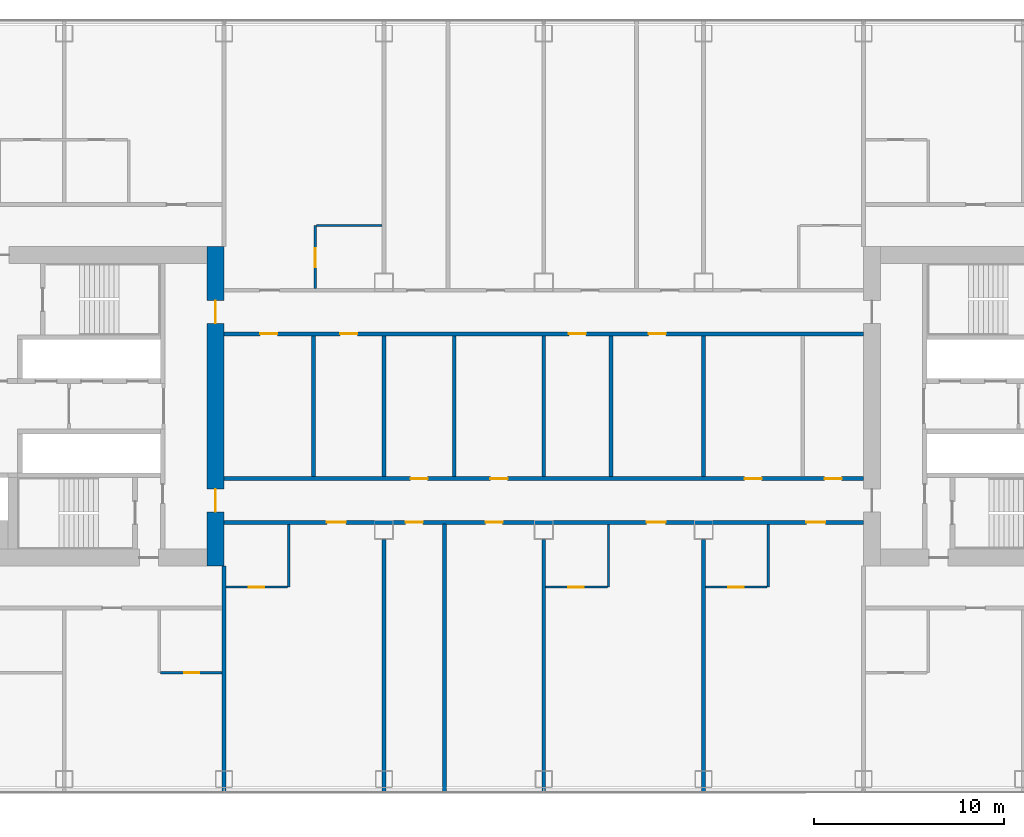
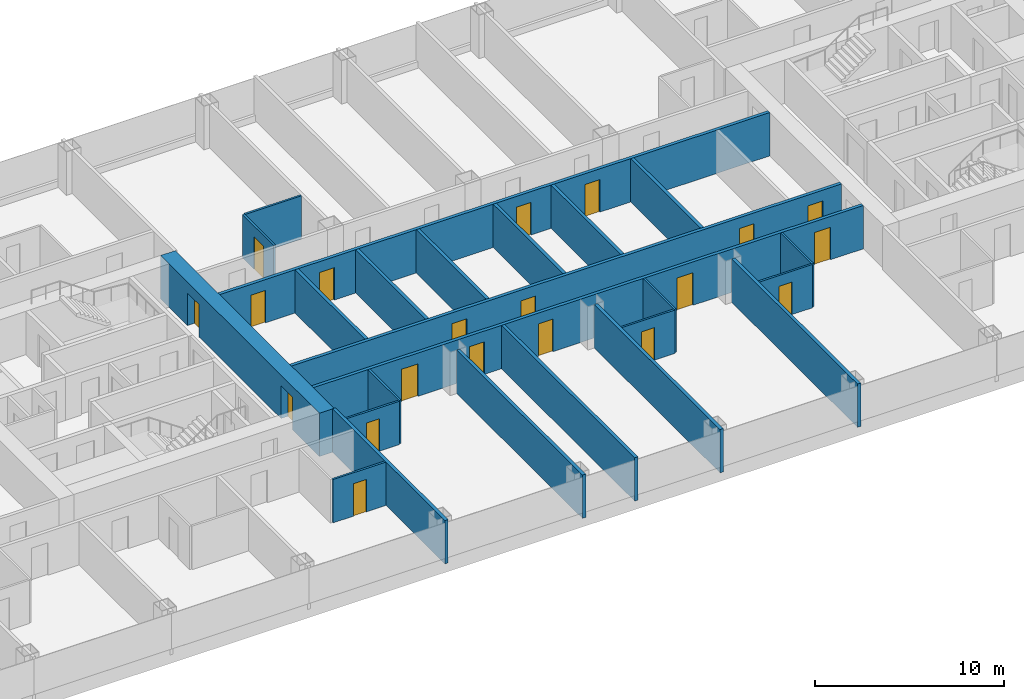
# One storey, part 15 of 28: 24 walls, 20 doors, 20 openings.
"""IFC4 building model written with IfcOpenShell, lengths in metres."""

from ifc_helpers import new_model, si_unit, direction, frame, frame_2d, origin, place, context, subcontext, project, spatial, rectangle, extrude, material, layer, layer_set, type_object, element, fill, save


model = new_model("IFC4")

# Units and contexts
model_context = context("Model", 3, precision=1e-05, world=origin(), true_north=direction((0.0, 1.0)))
body_context = subcontext(model_context, "Body", "Model", "MODEL_VIEW")
ifc_project = project(units=[si_unit("LENGTHUNIT", "METRE"), si_unit("AREAUNIT", "SQUARE_METRE"), si_unit("VOLUMEUNIT", "CUBIC_METRE"), si_unit("PLANEANGLEUNIT", "RADIAN"), si_unit("MASSUNIT", "GRAM", prefix="KILO")], contexts=[model_context])

# Site, building, storey
site_placement = place(None, origin())
site = spatial("IfcSite", under=ifc_project, at=site_placement, CompositionType="ELEMENT")
building_placement = place(site_placement, origin())
building = spatial("IfcBuilding", under=site, at=building_placement, Name="Hakoniwa Tower and Hamabe Station Hall", CompositionType="ELEMENT")
storey_placement = place(building_placement, frame((0.0, 0.0, 35.800048828125)))
storey = spatial("IfcBuildingStorey", under=building, at=storey_placement, Name="L09", CompositionType="ELEMENT", Elevation=35.800048828125)

# Wall, opening, door
ifc_material_1 = material(Name="Gypsum board partition", Category="gypsum")
ifc_layer_1 = layer(ifc_material_1, 0.125)
ifc_layer_set_1 = layer_set([ifc_layer_1], Name="Bathroom Partition 125")
wall_type_1 = type_object("IfcWallType", Name="Bathroom Partition 125", PredefinedType="PARTITIONING", material=ifc_layer_set_1)
wall_1_placement = place(storey_placement, frame((-20.137451171875, -14.0, 0.0), z_axis=(0.0, 0.0, 1.0), x_axis=(1.0, 0.0, 0.0)))
wall_1 = element("IfcWall", 1, at=wall_1_placement, inside=storey, type_object=wall_type_1, Name="GW-L09-003", PredefinedType="PARTITIONING", context=body_context, shape_type="SweptSolid", body=[
    extrude(rectangle(XDim=3.237548828125, YDim=0.125, at=frame_2d((1.61865234375, 0.0))), origin(), (0.0, 0.0, 1.0), 2.800048828125),
])
opening_1_placement = place(wall_1_placement, frame((1.237548828125, 0.0, 0.0)))
opening_1 = element("IfcOpeningElement", 2, at=opening_1_placement, cuts=wall_1, Name="Opening GD-G1A1-03", PredefinedType="OPENING", context=body_context, shape_type="SweptSolid", body=[
    extrude(rectangle(XDim=0.800048828125, YDim=2.10009765625, at=frame_2d((0.39990234375, 1.050048828125))), frame((0.0, 0.072509765625, 0.0), z_axis=(0.0, -1.0, 0.0), x_axis=(1.0, 0.0, 0.0)), (0.0, 0.0, 1.0), 0.14501953125),
])
ifc_material_2 = material(Name="Timber door leaf", Category="wood")
door_type_1 = type_object("IfcDoorType", Name="Bathroom Door 800", OperationType="SINGLE_SWING_LEFT", PredefinedType="DOOR", material=ifc_material_2)
door_1_placement = place(opening_1_placement, origin())
door_1 = element("IfcDoor", 3, at=door_1_placement, inside=storey, type_object=door_type_1, Name="Door GD-G1A1-03", OperationType="SINGLE_SWING_LEFT", OverallHeight=2.10009765625, OverallWidth=0.800048828125, PredefinedType="DOOR", context=body_context, shape_type="SweptSolid", body=[
    extrude(rectangle(XDim=0.800048828125, YDim=2.10009765625, at=frame_2d((0.39990234375, 1.050048828125))), frame((0.0, 0.02490234375, 0.0), z_axis=(0.0, -1.0, 0.0), x_axis=(1.0, 0.0, 0.0)), (0.0, 0.0, 1.0), 0.050048828125),
])
fill(opening_1, door_1)

wall_2_placement = place(storey_placement, frame((-16.699951171875, -9.5, 0.0), z_axis=(0.0, 0.0, 1.0), x_axis=(1.0, 0.0, 0.0)))
wall_2 = element("IfcWall", 4, at=wall_2_placement, inside=storey, type_object=wall_type_1, Name="GW-L09-009", PredefinedType="PARTITIONING", context=body_context, shape_type="SweptSolid", body=[
    extrude(rectangle(XDim=3.237548828125, YDim=0.125, at=frame_2d((1.61865234375, 0.0))), origin(), (0.0, 0.0, 1.0), 2.800048828125),
])
opening_2_placement = place(wall_2_placement, frame((1.199951171875, 0.0, 0.0)))
opening_2 = element("IfcOpeningElement", 5, at=opening_2_placement, cuts=wall_2, Name="Opening GD-G1A1-16", PredefinedType="OPENING", context=body_context, shape_type="SweptSolid", body=[
    extrude(rectangle(XDim=0.800048828125, YDim=2.10009765625, at=frame_2d((0.39990234375, 1.050048828125))), frame((0.0, 0.072509765625, 0.0), z_axis=(0.0, -1.0, 0.0), x_axis=(1.0, 0.0, 0.0)), (0.0, 0.0, 1.0), 0.14501953125),
])
door_2_placement = place(opening_2_placement, origin())
door_2 = element("IfcDoor", 6, at=door_2_placement, inside=storey, type_object=door_type_1, Name="Door GD-G1A1-16", OperationType="SINGLE_SWING_LEFT", OverallHeight=2.10009765625, OverallWidth=0.800048828125, PredefinedType="DOOR", context=body_context, shape_type="SweptSolid", body=[
    extrude(rectangle(XDim=0.800048828125, YDim=2.10009765625, at=frame_2d((0.39990234375, 1.050048828125))), frame((0.0, 0.02490234375, 0.0), z_axis=(0.0, -1.0, 0.0), x_axis=(1.0, 0.0, 0.0)), (0.0, 0.0, 1.0), 0.050048828125),
])
fill(opening_2, door_2)

wall_3_placement = place(storey_placement, frame((0.10009765625, -9.5, 0.0), z_axis=(0.0, 0.0, 1.0), x_axis=(1.0, 0.0, 0.0)))
wall_3 = element("IfcWall", 7, at=wall_3_placement, inside=storey, type_object=wall_type_1, Name="GW-L09-010", PredefinedType="PARTITIONING", context=body_context, shape_type="SweptSolid", body=[
    extrude(rectangle(XDim=3.2373046875, YDim=0.125, at=frame_2d((1.61865234375, 0.0))), origin(), (0.0, 0.0, 1.0), 2.800048828125),
])
opening_3_placement = place(wall_3_placement, frame((1.199951171875, 0.0, 0.0)))
opening_3 = element("IfcOpeningElement", 8, at=opening_3_placement, cuts=wall_3, Name="Opening GD-G1A1-17", PredefinedType="OPENING", context=body_context, shape_type="SweptSolid", body=[
    extrude(rectangle(XDim=0.800048828125, YDim=2.10009765625, at=frame_2d((0.39990234375, 1.050048828125))), frame((0.0, 0.072509765625, 0.0), z_axis=(0.0, -1.0, 0.0), x_axis=(1.0, 0.0, 0.0)), (0.0, 0.0, 1.0), 0.14501953125),
])
door_3_placement = place(opening_3_placement, origin())
door_3 = element("IfcDoor", 9, at=door_3_placement, inside=storey, type_object=door_type_1, Name="Door GD-G1A1-17", OperationType="SINGLE_SWING_RIGHT", OverallHeight=2.10009765625, OverallWidth=0.800048828125, PredefinedType="DOOR", context=body_context, shape_type="SweptSolid", body=[
    extrude(rectangle(XDim=0.800048828125, YDim=2.10009765625, at=frame_2d((0.39990234375, 1.050048828125))), frame((0.0, 0.02490234375, 0.0), z_axis=(0.0, -1.0, 0.0), x_axis=(1.0, 0.0, 0.0)), (0.0, 0.0, 1.0), 0.050048828125),
])
fill(opening_3, door_3)

wall_4_placement = place(storey_placement, frame((8.5, -9.5, 0.0), z_axis=(0.0, 0.0, 1.0), x_axis=(1.0, 0.0, 0.0)))
wall_4 = element("IfcWall", 10, at=wall_4_placement, inside=storey, type_object=wall_type_1, Name="GW-L09-011", PredefinedType="PARTITIONING", context=body_context, shape_type="SweptSolid", body=[
    extrude(rectangle(XDim=3.237548828125, YDim=0.125, at=frame_2d((1.61865234375, 0.0))), origin(), (0.0, 0.0, 1.0), 2.800048828125),
])
opening_4_placement = place(wall_4_placement, frame((1.199951171875, 0.0, 0.0)))
opening_4 = element("IfcOpeningElement", 11, at=opening_4_placement, cuts=wall_4, Name="Opening GD-G1A1-18", PredefinedType="OPENING", context=body_context, shape_type="SweptSolid", body=[
    extrude(rectangle(XDim=0.800048828125, YDim=2.10009765625, at=frame_2d((0.39990234375, 1.050048828125))), frame((0.0, 0.072509765625, 0.0), z_axis=(0.0, -1.0, 0.0), x_axis=(1.0, 0.0, 0.0)), (0.0, 0.0, 1.0), 0.14501953125),
])
door_4_placement = place(opening_4_placement, origin())
door_4 = element("IfcDoor", 12, at=door_4_placement, inside=storey, type_object=door_type_1, Name="Door GD-G1A1-18", OperationType="SINGLE_SWING_LEFT", OverallHeight=2.10009765625, OverallWidth=0.800048828125, PredefinedType="DOOR", context=body_context, shape_type="SweptSolid", body=[
    extrude(rectangle(XDim=0.800048828125, YDim=2.10009765625, at=frame_2d((0.39990234375, 1.050048828125))), frame((0.0, 0.02490234375, 0.0), z_axis=(0.0, -1.0, 0.0), x_axis=(1.0, 0.0, 0.0)), (0.0, 0.0, 1.0), 0.050048828125),
])
fill(opening_4, door_4)

# Walls
wall_5_placement = place(storey_placement, frame((-11.9375, 9.5, 0.0), z_axis=(0.0, 0.0, 1.0), x_axis=(1.0, 0.0, 0.0)))
element("IfcWall", 13, at=wall_5_placement, inside=storey, type_object=wall_type_1, Name="GW-L09-030", PredefinedType="PARTITIONING", context=body_context, shape_type="SweptSolid", body=[
    extrude(rectangle(XDim=3.4375, YDim=0.125, at=frame_2d((1.71875, 0.0))), origin(), (0.0, 0.0, 1.0), 2.800048828125),
])
wall_6_placement = place(storey_placement, frame((-13.39990234375, -9.5, 0.0), z_axis=(0.0, 0.0, 1.0), x_axis=(0.0, 1.0, 0.0)))
element("IfcWall", 14, at=wall_6_placement, inside=storey, type_object=wall_type_1, Name="GW-L09-063", PredefinedType="PARTITIONING", context=body_context, shape_type="SweptSolid", body=[
    extrude(rectangle(XDim=3.300048828125, YDim=0.125, at=frame_2d((1.64990234375, 0.0))), origin(), (0.0, 0.0, 1.0), 2.800048828125),
])

# Wall, opening, door
wall_7_placement = place(storey_placement, frame((-12.0, 6.199951171875, 0.0), z_axis=(0.0, 0.0, 1.0), x_axis=(0.0, 1.0, 0.0)))
wall_7 = element("IfcWall", 15, at=wall_7_placement, inside=storey, type_object=wall_type_1, Name="GW-L09-065", PredefinedType="PARTITIONING", context=body_context, shape_type="SweptSolid", body=[
    extrude(rectangle(XDim=3.300048828125, YDim=0.125, at=frame_2d((1.64990234375, 0.0))), origin(), (0.0, 0.0, 1.0), 2.800048828125),
])
opening_5_placement = place(wall_7_placement, frame((1.10009765625, 0.0, 0.0)))
opening_5 = element("IfcOpeningElement", 16, at=opening_5_placement, cuts=wall_7, Name="Opening GD-G1A1-74", PredefinedType="OPENING", context=body_context, shape_type="SweptSolid", body=[
    extrude(rectangle(XDim=1.0, YDim=2.10009765625, at=frame_2d((0.5, 1.050048828125))), frame((0.0, 0.072509765625, 0.0), z_axis=(0.0, -1.0, 0.0), x_axis=(1.0, 0.0, 0.0)), (0.0, 0.0, 1.0), 0.14501953125),
])
ifc_material_3 = material(Name="Timber door leaf", Category="wood")
door_type_2 = type_object("IfcDoorType", Name="Accessible Bathroom Door 1000", OperationType="SINGLE_SWING_LEFT", PredefinedType="DOOR", material=ifc_material_3)
door_5_placement = place(opening_5_placement, origin())
door_5 = element("IfcDoor", 17, at=door_5_placement, inside=storey, type_object=door_type_2, Name="Door GD-G1A1-74", OperationType="SINGLE_SWING_RIGHT", OverallHeight=2.10009765625, OverallWidth=1.0, PredefinedType="DOOR", context=body_context, shape_type="SweptSolid", body=[
    extrude(rectangle(XDim=1.0, YDim=2.10009765625, at=frame_2d((0.5, 1.050048828125))), frame((0.0, 0.02490234375, 0.0), z_axis=(0.0, -1.0, 0.0), x_axis=(1.0, 0.0, 0.0)), (0.0, 0.0, 1.0), 0.050048828125),
])
fill(opening_5, door_5)

# Walls
for number, where, z_axis, x_axis, name in (
    (18, (3.39990234375, -9.5, 0.0), (0.0, 0.0, 1.0), (0.0, 1.0, 0.0), "GW-L09-075"),
    (19, (11.800048828125, -9.5, 0.0), (0.0, 0.0, 1.0), (0.0, 1.0, 0.0), "GW-L09-081"),
):
    element("IfcWall", number, at=place(storey_placement, frame(where, z_axis=z_axis, x_axis=x_axis)), inside=storey, type_object=wall_type_1, Name=name, PredefinedType="PARTITIONING", context=body_context, shape_type="SweptSolid", body=[
        extrude(rectangle(XDim=3.300048828125, YDim=0.125, at=frame_2d((1.64990234375, 0.0))), origin(), (0.0, 0.0, 1.0), 2.800048828125),
    ])

# Wall, openings, doors
ifc_material_4 = material(Name="Concrete C80", Category="concrete")
ifc_layer_2 = layer(ifc_material_4, 0.89990234375)
ifc_layer_set_2 = layer_set([ifc_layer_2], Name="CORE WALL 900 C80")
wall_type_2 = type_object("IfcWallType", Name="CORE WALL 900 C80", PredefinedType="SHEAR", material=ifc_layer_set_2)
wall_8_placement = place(storey_placement, frame((-17.25, -8.39990234375, 0.0), z_axis=(0.0, 0.0, 1.0), x_axis=(0.0, 1.0, 0.0)))
wall_8 = element("IfcWall", 20, at=wall_8_placement, inside=storey, type_object=wall_type_2, Name="Core wall INNER west", PredefinedType="SHEAR", context=body_context, shape_type="SweptSolid", body=[
    extrude(rectangle(XDim=16.7998046875, YDim=0.89990234375, at=frame_2d((8.39990234375, 0.0))), origin(), (0.0, 0.0, 1.0), 2.800048828125),
])
opening_6_placement = place(wall_8_placement, frame((12.75, 0.0, 0.0)))
opening_6 = element("IfcOpeningElement", 21, at=opening_6_placement, cuts=wall_8, Name="Opening CD-W-IN1-12", PredefinedType="OPENING", context=body_context, shape_type="SweptSolid", body=[
    extrude(rectangle(XDim=1.199951171875, YDim=2.10009765625, at=frame_2d((0.60009765625, 1.050048828125))), frame((0.0, 0.4599609375, 0.0), z_axis=(0.0, -1.0, 0.0), x_axis=(1.0, 0.0, 0.0)), (0.0, 0.0, 1.0), 0.919921875),
])
opening_7_placement = place(wall_8_placement, frame((2.85009765625, 0.0, 0.0)))
opening_7 = element("IfcOpeningElement", 22, at=opening_7_placement, cuts=wall_8, Name="Opening CD-W-IN2-12", PredefinedType="OPENING", context=body_context, shape_type="SweptSolid", body=[
    extrude(rectangle(XDim=1.199951171875, YDim=2.10009765625, at=frame_2d((0.60009765625, 1.050048828125))), frame((0.0, 0.4599609375, 0.0), z_axis=(0.0, -1.0, 0.0), x_axis=(1.0, 0.0, 0.0)), (0.0, 0.0, 1.0), 0.919921875),
])
ifc_material_5 = material(Name="Steel fire door", Category="steel")
door_type_3 = type_object("IfcDoorType", Name="CORE DOOR 1200 FD60", OperationType="DOUBLE_DOOR_SINGLE_SWING", PredefinedType="DOOR", material=ifc_material_5)
door_6_placement = place(opening_6_placement, origin())
door_6 = element("IfcDoor", 23, at=door_6_placement, inside=storey, type_object=door_type_3, Name="Lift lobby door", OperationType="DOUBLE_DOOR_SINGLE_SWING", OverallHeight=2.10009765625, OverallWidth=1.199951171875, PredefinedType="DOOR", context=body_context, shape_type="SweptSolid", body=[
    extrude(rectangle(XDim=1.199951171875, YDim=2.10009765625, at=frame_2d((0.60009765625, 1.050048828125))), frame((0.0, 0.02490234375, 0.0), z_axis=(0.0, -1.0, 0.0), x_axis=(1.0, 0.0, 0.0)), (0.0, 0.0, 1.0), 0.050048828125),
])
fill(opening_6, door_6)
door_7_placement = place(opening_7_placement, origin())
door_7 = element("IfcDoor", 24, at=door_7_placement, inside=storey, type_object=door_type_3, Name="Lift lobby door", OperationType="DOUBLE_DOOR_SINGLE_SWING", OverallHeight=2.10009765625, OverallWidth=1.199951171875, PredefinedType="DOOR", context=body_context, shape_type="SweptSolid", body=[
    extrude(rectangle(XDim=1.199951171875, YDim=2.10009765625, at=frame_2d((0.60009765625, 1.050048828125))), frame((0.0, 0.02490234375, 0.0), z_axis=(0.0, -1.0, 0.0), x_axis=(1.0, 0.0, 0.0)), (0.0, 0.0, 1.0), 0.050048828125),
])
fill(opening_7, door_7)

ifc_material_6 = material(Name="Fire-rated gypsum board partition", Category="gypsum")
ifc_layer_3 = layer(ifc_material_6, 0.199951171875)
ifc_layer_set_3 = layer_set([ifc_layer_3], Name="Corridor Wall 200")
wall_type_3 = type_object("IfcWallType", Name="Corridor Wall 200", PredefinedType="PARTITIONING", material=ifc_layer_set_3)
wall_9_placement = place(storey_placement, frame((-16.800048828125, -6.10009765625, 0.0), z_axis=(0.0, 0.0, 1.0), x_axis=(1.0, 0.0, 0.0)))
wall_9 = element("IfcWall", 25, at=wall_9_placement, inside=storey, type_object=wall_type_3, Name="GW-L09-014", PredefinedType="PARTITIONING", context=body_context, shape_type="SweptSolid", body=[
    extrude(rectangle(XDim=33.60009765625, YDim=0.199951171875, at=frame_2d((16.800048828125, 0.0))), origin(), (0.0, 0.0, 1.0), 2.800048828125),
])
opening_8_placement = place(wall_9_placement, frame((5.39990234375, 0.0, 0.0)))
opening_8 = element("IfcOpeningElement", 26, at=opening_8_placement, cuts=wall_9, Name="Opening GD-G1A1-23", PredefinedType="OPENING", context=body_context, shape_type="SweptSolid", body=[
    extrude(rectangle(XDim=1.0, YDim=2.10009765625, at=frame_2d((0.5, 1.050048828125))), frame((0.0, 0.10986328125, 0.0), z_axis=(0.0, -1.0, 0.0), x_axis=(1.0, 0.0, 0.0)), (0.0, 0.0, 1.0), 0.219970703125),
])
opening_9_placement = place(wall_9_placement, frame((9.544921875, 0.0, 0.0)))
opening_9 = element("IfcOpeningElement", 27, at=opening_9_placement, cuts=wall_9, Name="Opening GD-G1A1-24", PredefinedType="OPENING", context=body_context, shape_type="SweptSolid", body=[
    extrude(rectangle(XDim=0.89990234375, YDim=2.10009765625, at=frame_2d((0.449951171875, 1.050048828125))), frame((0.0, 0.10986328125, 0.0), z_axis=(0.0, -1.0, 0.0), x_axis=(1.0, 0.0, 0.0)), (0.0, 0.0, 1.0), 0.219970703125),
])
opening_10_placement = place(wall_9_placement, frame((13.7451171875, 0.0, 0.0)))
opening_10 = element("IfcOpeningElement", 28, at=opening_10_placement, cuts=wall_9, Name="Opening GD-G1A1-25", PredefinedType="OPENING", context=body_context, shape_type="SweptSolid", body=[
    extrude(rectangle(XDim=0.89990234375, YDim=2.10009765625, at=frame_2d((0.449951171875, 1.050048828125))), frame((0.0, 0.10986328125, 0.0), z_axis=(0.0, -1.0, 0.0), x_axis=(1.0, 0.0, 0.0)), (0.0, 0.0, 1.0), 0.219970703125),
])
opening_11_placement = place(wall_9_placement, frame((22.199951171875, 0.0, 0.0)))
opening_11 = element("IfcOpeningElement", 29, at=opening_11_placement, cuts=wall_9, Name="Opening GD-G1A1-26", PredefinedType="OPENING", context=body_context, shape_type="SweptSolid", body=[
    extrude(rectangle(XDim=1.0, YDim=2.10009765625, at=frame_2d((0.5, 1.050048828125))), frame((0.0, 0.10986328125, 0.0), z_axis=(0.0, -1.0, 0.0), x_axis=(1.0, 0.0, 0.0)), (0.0, 0.0, 1.0), 0.219970703125),
])
opening_12_placement = place(wall_9_placement, frame((30.60009765625, 0.0, 0.0)))
opening_12 = element("IfcOpeningElement", 30, at=opening_12_placement, cuts=wall_9, Name="Opening GD-G1A1-27", PredefinedType="OPENING", context=body_context, shape_type="SweptSolid", body=[
    extrude(rectangle(XDim=1.0, YDim=2.10009765625, at=frame_2d((0.5, 1.050048828125))), frame((0.0, 0.10986328125, 0.0), z_axis=(0.0, -1.0, 0.0), x_axis=(1.0, 0.0, 0.0)), (0.0, 0.0, 1.0), 0.219970703125),
])
ifc_material_7 = material(Name="Timber door leaf", Category="wood")
door_type_4 = type_object("IfcDoorType", Name="Guest Entrance Door 1000", OperationType="SINGLE_SWING_LEFT", PredefinedType="DOOR", material=ifc_material_7)
door_8_placement = place(opening_8_placement, origin())
door_8 = element("IfcDoor", 31, at=door_8_placement, inside=storey, type_object=door_type_4, Name="Door GD-G1A1-23", OperationType="SINGLE_SWING_RIGHT", OverallHeight=2.10009765625, OverallWidth=1.0, PredefinedType="DOOR", context=body_context, shape_type="SweptSolid", body=[
    extrude(rectangle(XDim=1.0, YDim=2.10009765625, at=frame_2d((0.5, 1.050048828125))), frame((0.0, 0.02490234375, 0.0), z_axis=(0.0, -1.0, 0.0), x_axis=(1.0, 0.0, 0.0)), (0.0, 0.0, 1.0), 0.050048828125),
])
fill(opening_8, door_8)
door_9_placement = place(opening_11_placement, origin())
door_9 = element("IfcDoor", 32, at=door_9_placement, inside=storey, type_object=door_type_4, Name="Door GD-G1A1-26", OperationType="SINGLE_SWING_LEFT", OverallHeight=2.10009765625, OverallWidth=1.0, PredefinedType="DOOR", context=body_context, shape_type="SweptSolid", body=[
    extrude(rectangle(XDim=1.0, YDim=2.10009765625, at=frame_2d((0.5, 1.050048828125))), frame((0.0, 0.02490234375, 0.0), z_axis=(0.0, -1.0, 0.0), x_axis=(1.0, 0.0, 0.0)), (0.0, 0.0, 1.0), 0.050048828125),
])
fill(opening_11, door_9)
door_10_placement = place(opening_12_placement, origin())
door_10 = element("IfcDoor", 33, at=door_10_placement, inside=storey, type_object=door_type_4, Name="Door GD-G1A1-27", OperationType="SINGLE_SWING_RIGHT", OverallHeight=2.10009765625, OverallWidth=1.0, PredefinedType="DOOR", context=body_context, shape_type="SweptSolid", body=[
    extrude(rectangle(XDim=1.0, YDim=2.10009765625, at=frame_2d((0.5, 1.050048828125))), frame((0.0, 0.02490234375, 0.0), z_axis=(0.0, -1.0, 0.0), x_axis=(1.0, 0.0, 0.0)), (0.0, 0.0, 1.0), 0.050048828125),
])
fill(opening_12, door_10)
ifc_material_8 = material(Name="Timber door leaf", Category="wood")
door_type_5 = type_object("IfcDoorType", Name="Service Door 900", OperationType="SINGLE_SWING_LEFT", PredefinedType="DOOR", material=ifc_material_8)
door_11_placement = place(opening_9_placement, origin())
door_11 = element("IfcDoor", 34, at=door_11_placement, inside=storey, type_object=door_type_5, Name="Door GD-G1A1-24", OperationType="SINGLE_SWING_RIGHT", OverallHeight=2.10009765625, OverallWidth=0.89990234375, PredefinedType="DOOR", context=body_context, shape_type="SweptSolid", body=[
    extrude(rectangle(XDim=0.89990234375, YDim=2.10009765625, at=frame_2d((0.449951171875, 1.050048828125))), frame((0.0, 0.02490234375, 0.0), z_axis=(0.0, -1.0, 0.0), x_axis=(1.0, 0.0, 0.0)), (0.0, 0.0, 1.0), 0.050048828125),
])
fill(opening_9, door_11)
door_12_placement = place(opening_10_placement, origin())
door_12 = element("IfcDoor", 35, at=door_12_placement, inside=storey, type_object=door_type_5, Name="Door GD-G1A1-25", OperationType="SINGLE_SWING_RIGHT", OverallHeight=2.10009765625, OverallWidth=0.89990234375, PredefinedType="DOOR", context=body_context, shape_type="SweptSolid", body=[
    extrude(rectangle(XDim=0.89990234375, YDim=2.10009765625, at=frame_2d((0.449951171875, 1.050048828125))), frame((0.0, 0.02490234375, 0.0), z_axis=(0.0, -1.0, 0.0), x_axis=(1.0, 0.0, 0.0)), (0.0, 0.0, 1.0), 0.050048828125),
])
fill(opening_10, door_12)

wall_10_placement = place(storey_placement, frame((-16.800048828125, -3.800048828125, 0.0), z_axis=(0.0, 0.0, 1.0), x_axis=(1.0, 0.0, 0.0)))
wall_10 = element("IfcWall", 36, at=wall_10_placement, inside=storey, type_object=wall_type_3, Name="GW-L09-019", PredefinedType="PARTITIONING", context=body_context, shape_type="SweptSolid", body=[
    extrude(rectangle(XDim=33.60009765625, YDim=0.199951171875, at=frame_2d((16.800048828125, 0.0))), origin(), (0.0, 0.0, 1.0), 2.800048828125),
])
opening_13_placement = place(wall_10_placement, frame((9.800048828125, 0.0, 0.0)))
opening_13 = element("IfcOpeningElement", 37, at=opening_13_placement, cuts=wall_10, Name="Opening GD-G1A1-32", PredefinedType="OPENING", context=body_context, shape_type="SweptSolid", body=[
    extrude(rectangle(XDim=0.89990234375, YDim=2.10009765625, at=frame_2d((0.449951171875, 1.050048828125))), frame((0.0, 0.10986328125, 0.0), z_axis=(0.0, -1.0, 0.0), x_axis=(1.0, 0.0, 0.0)), (0.0, 0.0, 1.0), 0.219970703125),
])
opening_14_placement = place(wall_10_placement, frame((14.0, 0.0, 0.0)))
opening_14 = element("IfcOpeningElement", 38, at=opening_14_placement, cuts=wall_10, Name="Opening GD-G1A1-33", PredefinedType="OPENING", context=body_context, shape_type="SweptSolid", body=[
    extrude(rectangle(XDim=0.89990234375, YDim=2.10009765625, at=frame_2d((0.449951171875, 1.050048828125))), frame((0.0, 0.10986328125, 0.0), z_axis=(0.0, -1.0, 0.0), x_axis=(1.0, 0.0, 0.0)), (0.0, 0.0, 1.0), 0.219970703125),
])
opening_15_placement = place(wall_10_placement, frame((27.35498046875, 0.0, 0.0)))
opening_15 = element("IfcOpeningElement", 39, at=opening_15_placement, cuts=wall_10, Name="Opening GD-G1A1-34", PredefinedType="OPENING", context=body_context, shape_type="SweptSolid", body=[
    extrude(rectangle(XDim=0.89990234375, YDim=2.10009765625, at=frame_2d((0.449951171875, 1.050048828125))), frame((0.0, 0.10986328125, 0.0), z_axis=(0.0, -1.0, 0.0), x_axis=(1.0, 0.0, 0.0)), (0.0, 0.0, 1.0), 0.219970703125),
])
opening_16_placement = place(wall_10_placement, frame((31.554931640625, 0.0, 0.0)))
opening_16 = element("IfcOpeningElement", 40, at=opening_16_placement, cuts=wall_10, Name="Opening GD-G1A1-35", PredefinedType="OPENING", context=body_context, shape_type="SweptSolid", body=[
    extrude(rectangle(XDim=0.89990234375, YDim=2.10009765625, at=frame_2d((0.449951171875, 1.050048828125))), frame((0.0, 0.10986328125, 0.0), z_axis=(0.0, -1.0, 0.0), x_axis=(1.0, 0.0, 0.0)), (0.0, 0.0, 1.0), 0.219970703125),
])
door_13_placement = place(opening_13_placement, origin())
door_13 = element("IfcDoor", 41, at=door_13_placement, inside=storey, type_object=door_type_5, Name="Door GD-G1A1-32", OperationType="SINGLE_SWING_LEFT", OverallHeight=2.10009765625, OverallWidth=0.89990234375, PredefinedType="DOOR", context=body_context, shape_type="SweptSolid", body=[
    extrude(rectangle(XDim=0.89990234375, YDim=2.10009765625, at=frame_2d((0.449951171875, 1.050048828125))), frame((0.0, 0.02490234375, 0.0), z_axis=(0.0, -1.0, 0.0), x_axis=(1.0, 0.0, 0.0)), (0.0, 0.0, 1.0), 0.050048828125),
])
fill(opening_13, door_13)
door_14_placement = place(opening_14_placement, origin())
door_14 = element("IfcDoor", 42, at=door_14_placement, inside=storey, type_object=door_type_5, Name="Door GD-G1A1-33", OperationType="SINGLE_SWING_RIGHT", OverallHeight=2.10009765625, OverallWidth=0.89990234375, PredefinedType="DOOR", context=body_context, shape_type="SweptSolid", body=[
    extrude(rectangle(XDim=0.89990234375, YDim=2.10009765625, at=frame_2d((0.449951171875, 1.050048828125))), frame((0.0, 0.02490234375, 0.0), z_axis=(0.0, -1.0, 0.0), x_axis=(1.0, 0.0, 0.0)), (0.0, 0.0, 1.0), 0.050048828125),
])
fill(opening_14, door_14)
door_15_placement = place(opening_15_placement, origin())
door_15 = element("IfcDoor", 43, at=door_15_placement, inside=storey, type_object=door_type_5, Name="Door GD-G1A1-34", OperationType="SINGLE_SWING_LEFT", OverallHeight=2.10009765625, OverallWidth=0.89990234375, PredefinedType="DOOR", context=body_context, shape_type="SweptSolid", body=[
    extrude(rectangle(XDim=0.89990234375, YDim=2.10009765625, at=frame_2d((0.449951171875, 1.050048828125))), frame((0.0, 0.02490234375, 0.0), z_axis=(0.0, -1.0, 0.0), x_axis=(1.0, 0.0, 0.0)), (0.0, 0.0, 1.0), 0.050048828125),
])
fill(opening_15, door_15)
door_16_placement = place(opening_16_placement, origin())
door_16 = element("IfcDoor", 44, at=door_16_placement, inside=storey, type_object=door_type_5, Name="Door GD-G1A1-35", OperationType="SINGLE_SWING_RIGHT", OverallHeight=2.10009765625, OverallWidth=0.89990234375, PredefinedType="DOOR", context=body_context, shape_type="SweptSolid", body=[
    extrude(rectangle(XDim=0.89990234375, YDim=2.10009765625, at=frame_2d((0.449951171875, 1.050048828125))), frame((0.0, 0.02490234375, 0.0), z_axis=(0.0, -1.0, 0.0), x_axis=(1.0, 0.0, 0.0)), (0.0, 0.0, 1.0), 0.050048828125),
])
fill(opening_16, door_16)

wall_11_placement = place(storey_placement, frame((-16.800048828125, 3.800048828125, 0.0), z_axis=(0.0, 0.0, 1.0), x_axis=(1.0, 0.0, 0.0)))
wall_11 = element("IfcWall", 45, at=wall_11_placement, inside=storey, type_object=wall_type_3, Name="GW-L09-022", PredefinedType="PARTITIONING", context=body_context, shape_type="SweptSolid", body=[
    extrude(rectangle(XDim=33.60009765625, YDim=0.199951171875, at=frame_2d((16.800048828125, 0.0))), origin(), (0.0, 0.0, 1.0), 2.800048828125),
])
opening_17_placement = place(wall_11_placement, frame((1.89990234375, 0.0, 0.0)))
opening_17 = element("IfcOpeningElement", 46, at=opening_17_placement, cuts=wall_11, Name="Opening GD-G1A1-36", PredefinedType="OPENING", context=body_context, shape_type="SweptSolid", body=[
    extrude(rectangle(XDim=0.89990234375, YDim=2.10009765625, at=frame_2d((0.449951171875, 1.050048828125))), frame((0.0, 0.10986328125, 0.0), z_axis=(0.0, -1.0, 0.0), x_axis=(1.0, 0.0, 0.0)), (0.0, 0.0, 1.0), 0.219970703125),
])
opening_18_placement = place(wall_11_placement, frame((6.10009765625, 0.0, 0.0)))
opening_18 = element("IfcOpeningElement", 47, at=opening_18_placement, cuts=wall_11, Name="Opening GD-G1A1-37", PredefinedType="OPENING", context=body_context, shape_type="SweptSolid", body=[
    extrude(rectangle(XDim=0.89990234375, YDim=2.10009765625, at=frame_2d((0.449951171875, 1.050048828125))), frame((0.0, 0.10986328125, 0.0), z_axis=(0.0, -1.0, 0.0), x_axis=(1.0, 0.0, 0.0)), (0.0, 0.0, 1.0), 0.219970703125),
])
opening_19_placement = place(wall_11_placement, frame((18.114990234375, 0.0, 0.0)))
opening_19 = element("IfcOpeningElement", 48, at=opening_19_placement, cuts=wall_11, Name="Opening GD-G1A1-38", PredefinedType="OPENING", context=body_context, shape_type="SweptSolid", body=[
    extrude(rectangle(XDim=0.89990234375, YDim=2.10009765625, at=frame_2d((0.449951171875, 1.050048828125))), frame((0.0, 0.10986328125, 0.0), z_axis=(0.0, -1.0, 0.0), x_axis=(1.0, 0.0, 0.0)), (0.0, 0.0, 1.0), 0.219970703125),
])
opening_20_placement = place(wall_11_placement, frame((22.31494140625, 0.0, 0.0)))
opening_20 = element("IfcOpeningElement", 49, at=opening_20_placement, cuts=wall_11, Name="Opening GD-G1A1-39", PredefinedType="OPENING", context=body_context, shape_type="SweptSolid", body=[
    extrude(rectangle(XDim=0.89990234375, YDim=2.10009765625, at=frame_2d((0.449951171875, 1.050048828125))), frame((0.0, 0.10986328125, 0.0), z_axis=(0.0, -1.0, 0.0), x_axis=(1.0, 0.0, 0.0)), (0.0, 0.0, 1.0), 0.219970703125),
])
door_17_placement = place(opening_17_placement, origin())
door_17 = element("IfcDoor", 50, at=door_17_placement, inside=storey, type_object=door_type_5, Name="Door GD-G1A1-36", OperationType="SINGLE_SWING_RIGHT", OverallHeight=2.10009765625, OverallWidth=0.89990234375, PredefinedType="DOOR", context=body_context, shape_type="SweptSolid", body=[
    extrude(rectangle(XDim=0.89990234375, YDim=2.10009765625, at=frame_2d((0.449951171875, 1.050048828125))), frame((0.0, 0.02490234375, 0.0), z_axis=(0.0, -1.0, 0.0), x_axis=(1.0, 0.0, 0.0)), (0.0, 0.0, 1.0), 0.050048828125),
])
fill(opening_17, door_17)
door_18_placement = place(opening_18_placement, origin())
door_18 = element("IfcDoor", 51, at=door_18_placement, inside=storey, type_object=door_type_5, Name="Door GD-G1A1-37", OperationType="SINGLE_SWING_LEFT", OverallHeight=2.10009765625, OverallWidth=0.89990234375, PredefinedType="DOOR", context=body_context, shape_type="SweptSolid", body=[
    extrude(rectangle(XDim=0.89990234375, YDim=2.10009765625, at=frame_2d((0.449951171875, 1.050048828125))), frame((0.0, 0.02490234375, 0.0), z_axis=(0.0, -1.0, 0.0), x_axis=(1.0, 0.0, 0.0)), (0.0, 0.0, 1.0), 0.050048828125),
])
fill(opening_18, door_18)
door_19_placement = place(opening_19_placement, origin())
door_19 = element("IfcDoor", 52, at=door_19_placement, inside=storey, type_object=door_type_5, Name="Door GD-G1A1-38", OperationType="SINGLE_SWING_RIGHT", OverallHeight=2.10009765625, OverallWidth=0.89990234375, PredefinedType="DOOR", context=body_context, shape_type="SweptSolid", body=[
    extrude(rectangle(XDim=0.89990234375, YDim=2.10009765625, at=frame_2d((0.449951171875, 1.050048828125))), frame((0.0, 0.02490234375, 0.0), z_axis=(0.0, -1.0, 0.0), x_axis=(1.0, 0.0, 0.0)), (0.0, 0.0, 1.0), 0.050048828125),
])
fill(opening_19, door_19)
door_20_placement = place(opening_20_placement, origin())
door_20 = element("IfcDoor", 53, at=door_20_placement, inside=storey, type_object=door_type_5, Name="Door GD-G1A1-39", OperationType="SINGLE_SWING_LEFT", OverallHeight=2.10009765625, OverallWidth=0.89990234375, PredefinedType="DOOR", context=body_context, shape_type="SweptSolid", body=[
    extrude(rectangle(XDim=0.89990234375, YDim=2.10009765625, at=frame_2d((0.449951171875, 1.050048828125))), frame((0.0, 0.02490234375, 0.0), z_axis=(0.0, -1.0, 0.0), x_axis=(1.0, 0.0, 0.0)), (0.0, 0.0, 1.0), 0.050048828125),
])
fill(opening_20, door_20)

# Walls
ifc_material_9 = material(Name="Fire-rated gypsum board partition", Category="gypsum")
ifc_layer_4 = layer(ifc_material_9, 0.199951171875)
ifc_layer_set_4 = layer_set([ifc_layer_4], Name="Party Wall 200")
wall_type_4 = type_object("IfcWallType", Name="Party Wall 200", PredefinedType="PARTITIONING", material=ifc_layer_set_4)
wall_12_placement = place(storey_placement, frame((-16.800048828125, -20.300048828125, 0.0), z_axis=(0.0, 0.0, 1.0), x_axis=(0.0, 1.0, 0.0)))
element("IfcWall", 54, at=wall_12_placement, inside=storey, type_object=wall_type_4, Name="GW-L09-061", PredefinedType="PARTITIONING", context=body_context, shape_type="SweptSolid", body=[
    extrude(rectangle(XDim=11.91015625, YDim=0.199951171875, at=frame_2d((5.955078125, 0.0))), origin(), (0.0, 0.0, 1.0), 2.800048828125),
])
wall_13_placement = place(storey_placement, frame((-12.10009765625, -3.699951171875, 0.0), z_axis=(0.0, 0.0, 1.0), x_axis=(0.0, 1.0, 0.0)))
element("IfcWall", 55, at=wall_13_placement, inside=storey, type_object=wall_type_4, Name="GW-L09-064", PredefinedType="PARTITIONING", context=body_context, shape_type="SweptSolid", body=[
    extrude(rectangle(XDim=7.39990234375, YDim=0.199951171875, at=frame_2d((3.699951171875, 0.0))), origin(), (0.0, 0.0, 1.0), 2.800048828125),
])
wall_14_placement = place(storey_placement, frame((-8.39990234375, -20.300048828125, 0.0), z_axis=(0.0, 0.0, 1.0), x_axis=(0.0, 1.0, 0.0)))
element("IfcWall", 56, at=wall_14_placement, inside=storey, type_object=wall_type_4, Name="GW-L09-066", PredefinedType="PARTITIONING", context=body_context, shape_type="SweptSolid", body=[
    extrude(rectangle(XDim=13.31005859375, YDim=0.199951171875, at=frame_2d((6.655029296875, 0.0))), origin(), (0.0, 0.0, 1.0), 2.800048828125),
])
wall_15_placement = place(storey_placement, frame((-8.39990234375, -3.699951171875, 0.0), z_axis=(0.0, 0.0, 1.0), x_axis=(0.0, 1.0, 0.0)))
element("IfcWall", 57, at=wall_15_placement, inside=storey, type_object=wall_type_4, Name="GW-L09-067", PredefinedType="PARTITIONING", context=body_context, shape_type="SweptSolid", body=[
    extrude(rectangle(XDim=7.39990234375, YDim=0.199951171875, at=frame_2d((3.699951171875, 0.0))), origin(), (0.0, 0.0, 1.0), 2.800048828125),
])
wall_16_placement = place(storey_placement, frame((-5.2099609375, -20.300048828125, 0.0), z_axis=(0.0, 0.0, 1.0), x_axis=(0.0, 1.0, 0.0)))
element("IfcWall", 58, at=wall_16_placement, inside=storey, type_object=wall_type_4, Name="GW-L09-069", PredefinedType="PARTITIONING", context=body_context, shape_type="SweptSolid", body=[
    extrude(rectangle(XDim=14.10009765625, YDim=0.199951171875, at=frame_2d((7.050048828125, 0.0))), origin(), (0.0, 0.0, 1.0), 2.800048828125),
])
wall_17_placement = place(storey_placement, frame((-4.699951171875, -3.699951171875, 0.0), z_axis=(0.0, 0.0, 1.0), x_axis=(0.0, 1.0, 0.0)))
element("IfcWall", 59, at=wall_17_placement, inside=storey, type_object=wall_type_4, Name="GW-L09-071", PredefinedType="PARTITIONING", context=body_context, shape_type="SweptSolid", body=[
    extrude(rectangle(XDim=7.39990234375, YDim=0.199951171875, at=frame_2d((3.699951171875, 0.0))), origin(), (0.0, 0.0, 1.0), 2.800048828125),
])
wall_18_placement = place(storey_placement, frame((0.0, -20.300048828125, 0.0), z_axis=(0.0, 0.0, 1.0), x_axis=(0.0, 1.0, 0.0)))
element("IfcWall", 60, at=wall_18_placement, inside=storey, type_object=wall_type_4, Name="GW-L09-072", PredefinedType="PARTITIONING", context=body_context, shape_type="SweptSolid", body=[
    extrude(rectangle(XDim=13.31005859375, YDim=0.199951171875, at=frame_2d((6.655029296875, 0.0))), origin(), (0.0, 0.0, 1.0), 2.800048828125),
])
for number, where, z_axis, x_axis, name in (
    (61, (0.0, -3.699951171875, 0.0), (0.0, 0.0, 1.0), (0.0, 1.0, 0.0), "GW-L09-073"),
    (62, (3.530029296875, -3.699951171875, 0.0), (0.0, 0.0, 1.0), (0.0, 1.0, 0.0), "GW-L09-076"),
):
    element("IfcWall", number, at=place(storey_placement, frame(where, z_axis=z_axis, x_axis=x_axis)), inside=storey, type_object=wall_type_4, Name=name, PredefinedType="PARTITIONING", context=body_context, shape_type="SweptSolid", body=[
        extrude(rectangle(XDim=7.39990234375, YDim=0.199951171875, at=frame_2d((3.699951171875, 0.0))), origin(), (0.0, 0.0, 1.0), 2.800048828125),
    ])
wall_19_placement = place(storey_placement, frame((8.39990234375, -20.300048828125, 0.0), z_axis=(0.0, 0.0, 1.0), x_axis=(0.0, 1.0, 0.0)))
element("IfcWall", 63, at=wall_19_placement, inside=storey, type_object=wall_type_4, Name="GW-L09-078", PredefinedType="PARTITIONING", context=body_context, shape_type="SweptSolid", body=[
    extrude(rectangle(XDim=13.31005859375, YDim=0.199951171875, at=frame_2d((6.655029296875, 0.0))), origin(), (0.0, 0.0, 1.0), 2.800048828125),
])
wall_20_placement = place(storey_placement, frame((8.39990234375, -3.699951171875, 0.0), z_axis=(0.0, 0.0, 1.0), x_axis=(0.0, 1.0, 0.0)))
element("IfcWall", 64, at=wall_20_placement, inside=storey, type_object=wall_type_4, Name="GW-L09-079", PredefinedType="PARTITIONING", context=body_context, shape_type="SweptSolid", body=[
    extrude(rectangle(XDim=7.39990234375, YDim=0.199951171875, at=frame_2d((3.699951171875, 0.0))), origin(), (0.0, 0.0, 1.0), 2.800048828125),
])

save(model, "model.ifc")
